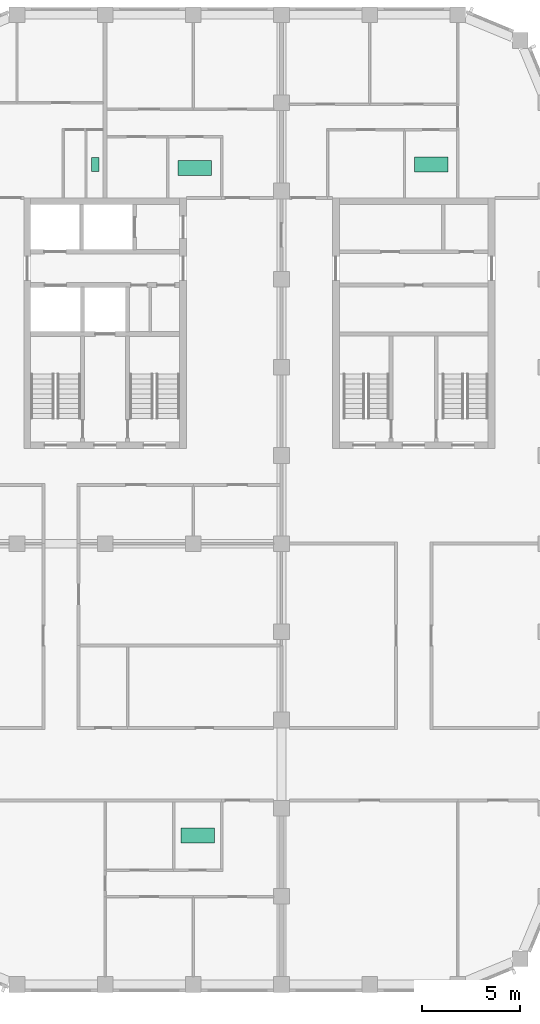
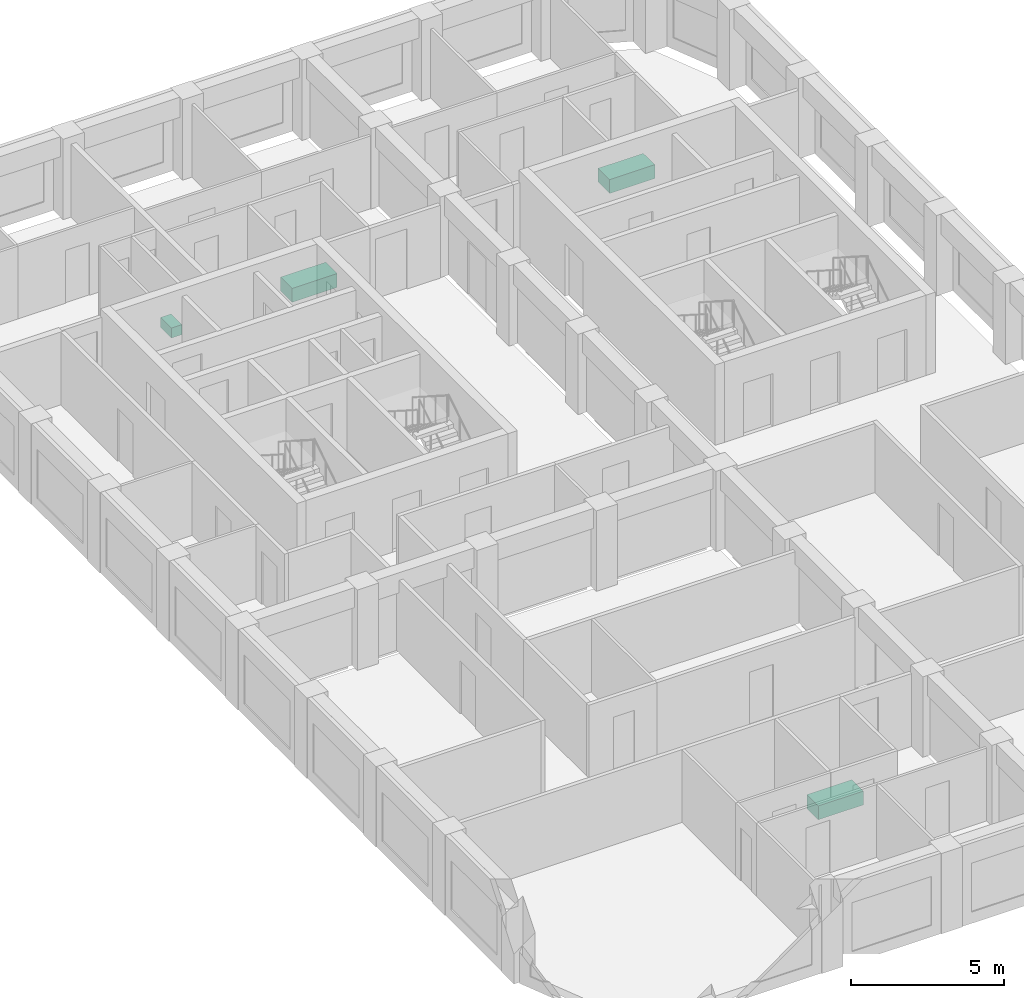
# One storey, part 9 of 9: 4 sanitary terminals.
"""IFC4 building model written with IfcOpenShell, lengths in metres."""

from ifc_helpers import new_model, si_unit, direction, frame, origin, origin_2d, place, context, subcontext, project, spatial, rectangle, extrude, material, type_object, element, save


model = new_model("IFC4")

# Units and contexts
model_context = context("Model", 3, precision=1e-05, world=origin(), true_north=direction((0.0, 1.0)))
body_context = subcontext(model_context, "Body", "Model", "MODEL_VIEW")
ifc_project = project(units=[si_unit("LENGTHUNIT", "METRE"), si_unit("AREAUNIT", "SQUARE_METRE"), si_unit("VOLUMEUNIT", "CUBIC_METRE"), si_unit("PLANEANGLEUNIT", "RADIAN"), si_unit("MASSUNIT", "GRAM", prefix="KILO")], contexts=[model_context])

# Site, building, storey
site_placement = place(None, origin())
site = spatial("IfcSite", under=ifc_project, at=site_placement, CompositionType="ELEMENT")
building_placement = place(site_placement, origin())
building = spatial("IfcBuilding", under=site, at=building_placement, Name="Girih Gate Residences", CompositionType="ELEMENT")
storey_placement = place(building_placement, frame((0.0, 0.0, 206.89501953125)))
storey = spatial("IfcBuildingStorey", under=building, at=storey_placement, Name="L57", CompositionType="ELEMENT", Elevation=206.89501953125)

# Sanitary terminals
ifc_material_1 = material(Name="Acrylic")
sanitary_terminal_type_1 = type_object("IfcSanitaryTerminalType", Name="Bath 1700", PredefinedType="BATH", material=ifc_material_1)
for number, where, z_axis, x_axis, name in (
    (1, (13.722900390625, 7.60400390625, 0.0), (0.0, 0.0, 1.0), (1.0, 0.0, 0.0), "Bath 1700 L57"),
    (2, (13.574951171875, 41.674072265625, 0.0), (0.0, 0.0, 1.0), (1.0, 0.0, 0.0), "Bath 1700 L57"),
    (3, (25.638916015625, 41.85400390625, 0.0), (0.0, 0.0, 1.0), (1.0, 0.0, 0.0), "Bath 1700 L57"),
):
    element("IfcSanitaryTerminal", number, at=place(storey_placement, frame(where, z_axis=z_axis, x_axis=x_axis)), inside=storey, type_object=sanitary_terminal_type_1, Name=name, PredefinedType="BATH", context=body_context, shape_type="SweptSolid", body=[
        extrude(rectangle(XDim=1.699951171875, YDim=0.75, at=origin_2d()), origin(), (0.0, 0.0, 1.0), 0.550048828125),
    ])
ifc_material_2 = material(Name="Vitreous china")
sanitary_terminal_type_2 = type_object("IfcSanitaryTerminalType", Name="WC pan", PredefinedType="TOILETPAN", material=ifc_material_2)
sanitary_terminal_placement = place(storey_placement, frame((8.492919921875, 41.85400390625, 0.0), z_axis=(0.0, 0.0, 1.0), x_axis=(1.0, 0.0, 0.0)))
element("IfcSanitaryTerminal", 4, at=sanitary_terminal_placement, inside=storey, type_object=sanitary_terminal_type_2, Name="WC pan L57", PredefinedType="TOILETPAN", context=body_context, shape_type="SweptSolid", body=[
    extrude(rectangle(XDim=0.39990234375, YDim=0.699951171875, at=origin_2d()), origin(), (0.0, 0.0, 1.0), 0.39990234375),
])

save(model, "model.ifc")
